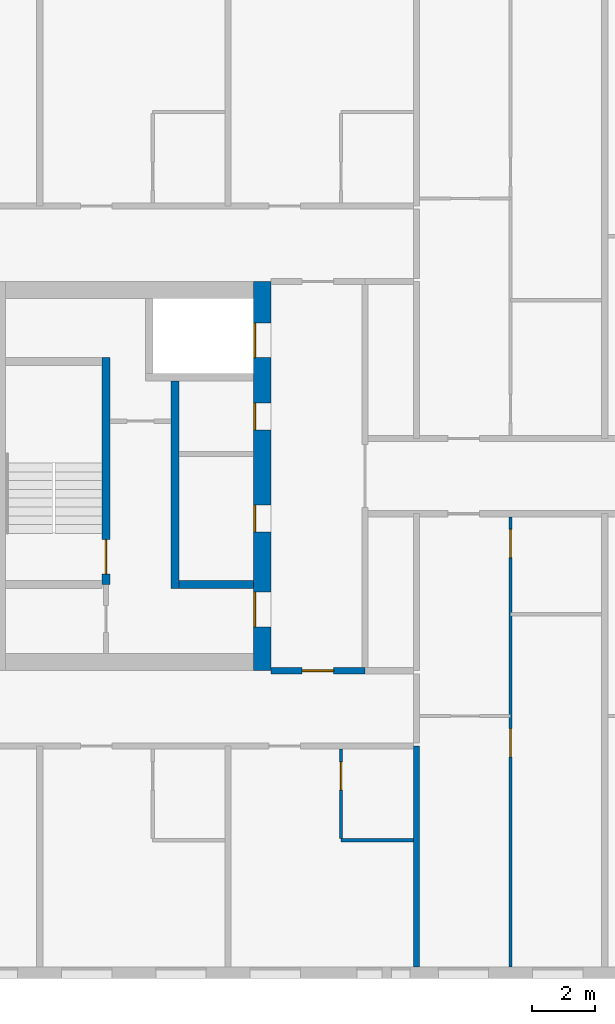
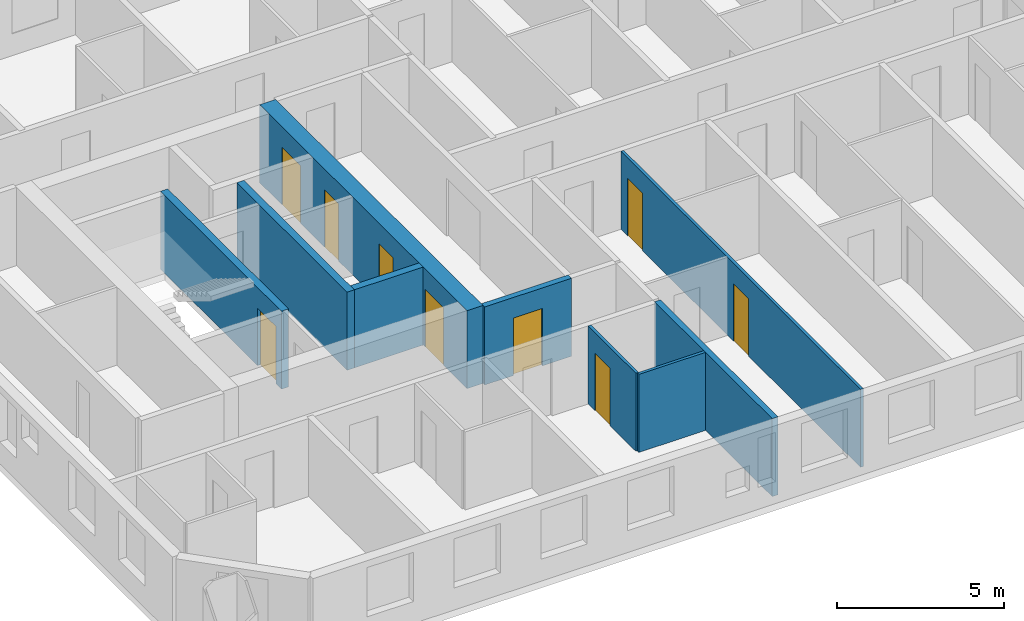
# One storey, part 3 of 16: 9 doors, 9 walls, 9 openings.
"""IFC4 building model written with IfcOpenShell, lengths in metres."""

from ifc_helpers import new_model, si_unit, direction, frame, frame_2d, origin, place, context, subcontext, project, spatial, rectangle, extrude, material, layer, layer_set, type_object, element, fill, save


model = new_model("IFC4")

# Units and contexts
model_context = context("Model", 3, precision=1e-05, world=origin(), true_north=direction((0.0, 1.0)))
body_context = subcontext(model_context, "Body", "Model", "MODEL_VIEW")
ifc_project = project(units=[si_unit("LENGTHUNIT", "METRE"), si_unit("AREAUNIT", "SQUARE_METRE"), si_unit("VOLUMEUNIT", "CUBIC_METRE"), si_unit("PLANEANGLEUNIT", "RADIAN"), si_unit("MASSUNIT", "GRAM", prefix="KILO")], contexts=[model_context])

# Site, building, storey
site_placement = place(None, origin())
site = spatial("IfcSite", under=ifc_project, at=site_placement, CompositionType="ELEMENT")
building_placement = place(site_placement, origin())
building = spatial("IfcBuilding", under=site, at=building_placement, Name="Tuart Gate Housing", CompositionType="ELEMENT")
storey_placement = place(building_placement, frame((0.0, 0.0, 133.0)))
storey = spatial("IfcBuildingStorey", under=building, at=storey_placement, Name="L37", CompositionType="ELEMENT", Elevation=133.0)

# Walls
ifc_material_1 = material(Name="Concrete C50", Category="concrete")
ifc_layer_1 = layer(ifc_material_1, 0.25)
ifc_layer_set_1 = layer_set([ifc_layer_1], Name="Core wall 250 C50")
wall_type_1 = type_object("IfcWallType", Name="Core wall 250 C50", PredefinedType="SHEAR", material=ifc_layer_set_1)
wall_1_placement = place(storey_placement, frame((40.81005859375, 66.550048828125, 0.0), z_axis=(0.0, 0.0, 1.0), x_axis=(-1.0, 0.0, 0.0)))
element("IfcWall", 1, at=wall_1_placement, inside=storey, type_object=wall_type_1, Name="Core wall AK.5", PredefinedType="SHEAR", context=body_context, shape_type="SweptSolid", body=[
    extrude(rectangle(XDim=2.375, YDim=0.25, at=frame_2d((1.1875, 0.0))), origin(), (0.0, 0.0, 1.0), 2.85009765625),
])
wall_2_placement = place(storey_placement, frame((38.31005859375, 73.02490234375, 0.0), z_axis=(0.0, 0.0, 1.0), x_axis=(0.0, -1.0, 0.0)))
element("IfcWall", 2, at=wall_2_placement, inside=storey, type_object=wall_type_1, Name="Core wall AK.7", PredefinedType="SHEAR", context=body_context, shape_type="SweptSolid", body=[
    extrude(rectangle(XDim=6.599853515625, YDim=0.25, at=frame_2d((3.2998046875, 0.0))), origin(), (0.0, 0.0, 1.0), 2.85009765625),
])

# Wall, opening, door
wall_3_placement = place(storey_placement, frame((36.110107421875, 73.77490234375, 0.0), z_axis=(0.0, 0.0, 1.0), x_axis=(0.0, -1.0, 0.0)))
wall_3 = element("IfcWall", 3, at=wall_3_placement, inside=storey, type_object=wall_type_1, Name="Core wall AK.9", PredefinedType="SHEAR", context=body_context, shape_type="SweptSolid", body=[
    extrude(rectangle(XDim=7.224853515625, YDim=0.25, at=frame_2d((3.6123046875, 0.0))), origin(), (0.0, 0.0, 1.0), 2.85009765625),
])
opening_1_placement = place(wall_3_placement, frame((5.800048828125, 0.0, 0.0)))
opening_1 = element("IfcOpeningElement", 4, at=opening_1_placement, cuts=wall_3, Name="Opening D1428", PredefinedType="OPENING", context=body_context, shape_type="SweptSolid", body=[
    extrude(rectangle(XDim=1.10009765625, YDim=2.10009765625, at=frame_2d((0.550048828125, 1.050048828125))), frame((0.0, 0.135009765625, 0.0), z_axis=(0.0, -1.0, 0.0), x_axis=(1.0, 0.0, 0.0)), (0.0, 0.0, 1.0), 0.27001953125),
])
ifc_material_2 = material(Name="Steel fire door", Category="steel")
door_type_1 = type_object("IfcDoorType", Name="Stair door 1100 x 2100", OperationType="SINGLE_SWING_LEFT", PredefinedType="DOOR", material=ifc_material_2)
door_1_placement = place(opening_1_placement, frame((1.10009765625, 0.0, 0.0), z_axis=(0.0, 0.0, 1.0), x_axis=(-1.0, 0.0, 0.0)))
door_1 = element("IfcDoor", 5, at=door_1_placement, inside=storey, type_object=door_type_1, Name="Stair door AK.SD", OperationType="SINGLE_SWING_LEFT", OverallHeight=2.10009765625, OverallWidth=1.10009765625, PredefinedType="DOOR", context=body_context, shape_type="SweptSolid", body=[
    extrude(rectangle(XDim=1.10009765625, YDim=2.10009765625, at=frame_2d((0.550048828125, 1.050048828125))), frame((0.0, 0.025146484375, 0.0), z_axis=(0.0, -1.0, 0.0), x_axis=(1.0, 0.0, 0.0)), (0.0, 0.0, 1.0), 0.050048828125),
])
fill(opening_1, door_1)

# Wall, openings, doors
ifc_material_3 = material(Name="Concrete C50", Category="concrete")
ifc_layer_2 = layer(ifc_material_3, 0.550048828125)
ifc_layer_set_2 = layer_set([ifc_layer_2], Name="Core wall 550 C50")
wall_type_2 = type_object("IfcWallType", Name="Core wall 550 C50", PredefinedType="SHEAR", material=ifc_layer_set_2)
wall_4_placement = place(storey_placement, frame((41.0849609375, 76.199951171875, 0.0), z_axis=(0.0, 0.0, 1.0), x_axis=(0.0, -1.0, 0.0)))
wall_4 = element("IfcWall", 6, at=wall_4_placement, inside=storey, type_object=wall_type_2, Name="Core wall AK front", PredefinedType="SHEAR", context=body_context, shape_type="SweptSolid", body=[
    extrude(rectangle(XDim=12.39990234375, YDim=0.550048828125, at=frame_2d((6.199951171875, 0.0))), origin(), (0.0, 0.0, 1.0), 2.85009765625),
])
opening_2_placement = place(wall_4_placement, frame((1.324951171875, 0.0, 0.0)))
opening_2 = element("IfcOpeningElement", 7, at=opening_2_placement, cuts=wall_4, Name="Opening LD-FA2", PredefinedType="OPENING", context=body_context, shape_type="SweptSolid", body=[
    extrude(rectangle(XDim=1.10009765625, YDim=2.10009765625, at=frame_2d((0.550048828125, 1.050048828125))), frame((0.0, 0.284912109375, 0.0), z_axis=(0.0, -1.0, 0.0), x_axis=(1.0, 0.0, 0.0)), (0.0, 0.0, 1.0), 0.570068359375),
])
opening_3_placement = place(wall_4_placement, frame((3.875, 0.0, 0.0)))
opening_3 = element("IfcOpeningElement", 8, at=opening_3_placement, cuts=wall_4, Name="Opening D1432", PredefinedType="OPENING", context=body_context, shape_type="SweptSolid", body=[
    extrude(rectangle(XDim=0.85009765625, YDim=2.10009765625, at=frame_2d((0.425048828125, 1.050048828125))), frame((0.0, 0.284912109375, 0.0), z_axis=(0.0, -1.0, 0.0), x_axis=(1.0, 0.0, 0.0)), (0.0, 0.0, 1.0), 0.570068359375),
])
opening_4_placement = place(wall_4_placement, frame((7.125, 0.0, 0.0)))
opening_4 = element("IfcOpeningElement", 9, at=opening_4_placement, cuts=wall_4, Name="Opening D1433", PredefinedType="OPENING", context=body_context, shape_type="SweptSolid", body=[
    extrude(rectangle(XDim=0.85009765625, YDim=2.10009765625, at=frame_2d((0.425048828125, 1.050048828125))), frame((0.0, 0.284912109375, 0.0), z_axis=(0.0, -1.0, 0.0), x_axis=(1.0, 0.0, 0.0)), (0.0, 0.0, 1.0), 0.570068359375),
])
opening_5_placement = place(wall_4_placement, frame((9.89990234375, 0.0, 0.0)))
opening_5 = element("IfcOpeningElement", 10, at=opening_5_placement, cuts=wall_4, Name="Opening D1431", PredefinedType="OPENING", context=body_context, shape_type="SweptSolid", body=[
    extrude(rectangle(XDim=1.10009765625, YDim=2.10009765625, at=frame_2d((0.550048828125, 1.050048828125))), frame((0.0, 0.284912109375, 0.0), z_axis=(0.0, -1.0, 0.0), x_axis=(1.0, 0.0, 0.0)), (0.0, 0.0, 1.0), 0.570068359375),
])
ifc_material_4 = material(Name="Stainless steel", Category="steel")
door_type_2 = type_object("IfcDoorType", Name="Landing door 1100 x 2100", OperationType="DOUBLE_DOOR_SLIDING", PredefinedType="DOOR", material=ifc_material_4)
door_2_placement = place(opening_2_placement, origin())
door_2 = element("IfcDoor", 11, at=door_2_placement, inside=storey, type_object=door_type_2, Name="Lift landing door FA2", OperationType="DOUBLE_DOOR_SLIDING", OverallHeight=2.10009765625, OverallWidth=1.10009765625, PredefinedType="DOOR", context=body_context, shape_type="SweptSolid", body=[
    extrude(rectangle(XDim=1.10009765625, YDim=2.10009765625, at=frame_2d((0.550048828125, 1.050048828125))), frame((0.0, -0.2099609375, 0.0), z_axis=(0.0, -1.0, 0.0), x_axis=(1.0, 0.0, 0.0)), (0.0, 0.0, 1.0), 0.050048828125),
])
fill(opening_2, door_2)
ifc_material_5 = material(Name="Steel fire door", Category="steel")
door_type_3 = type_object("IfcDoorType", Name="Lobby door 1100 x 2100 RH", OperationType="SINGLE_SWING_RIGHT", PredefinedType="DOOR", material=ifc_material_5)
door_3_placement = place(opening_5_placement, frame((1.10009765625, 0.0, 0.0), z_axis=(0.0, 0.0, 1.0), x_axis=(-1.0, 0.0, 0.0)))
door_3 = element("IfcDoor", 12, at=door_3_placement, inside=storey, type_object=door_type_3, Name="Lobby entry door AK.EN", OperationType="SINGLE_SWING_RIGHT", OverallHeight=2.10009765625, OverallWidth=1.10009765625, PredefinedType="DOOR", context=body_context, shape_type="SweptSolid", body=[
    extrude(rectangle(XDim=1.10009765625, YDim=2.10009765625, at=frame_2d((0.550048828125, 1.050048828125))), frame((0.0, 0.260009765625, 0.0), z_axis=(0.0, -1.0, 0.0), x_axis=(1.0, 0.0, 0.0)), (0.0, 0.0, 1.0), 0.050048828125),
])
fill(opening_5, door_3)
ifc_material_6 = material(Name="Steel fire door", Category="steel")
door_type_4 = type_object("IfcDoorType", Name="Service door 850 x 2100 RH", OperationType="SINGLE_SWING_RIGHT", PredefinedType="DOOR", material=ifc_material_6)
door_4_placement = place(opening_3_placement, frame((0.85009765625, 0.0, 0.0), z_axis=(0.0, 0.0, 1.0), x_axis=(-1.0, 0.0, 0.0)))
door_4 = element("IfcDoor", 13, at=door_4_placement, inside=storey, type_object=door_type_4, Name="Service room door AK.FR1", OperationType="SINGLE_SWING_RIGHT", OverallHeight=2.10009765625, OverallWidth=0.85009765625, PredefinedType="DOOR", context=body_context, shape_type="SweptSolid", body=[
    extrude(rectangle(XDim=0.85009765625, YDim=2.10009765625, at=frame_2d((0.425048828125, 1.050048828125))), frame((0.0, 0.260009765625, 0.0), z_axis=(0.0, -1.0, 0.0), x_axis=(1.0, 0.0, 0.0)), (0.0, 0.0, 1.0), 0.050048828125),
])
fill(opening_3, door_4)
door_5_placement = place(opening_4_placement, frame((0.85009765625, 0.0, 0.0), z_axis=(0.0, 0.0, 1.0), x_axis=(-1.0, 0.0, 0.0)))
door_5 = element("IfcDoor", 14, at=door_5_placement, inside=storey, type_object=door_type_4, Name="Service room door AK.FR2", OperationType="SINGLE_SWING_RIGHT", OverallHeight=2.10009765625, OverallWidth=0.85009765625, PredefinedType="DOOR", context=body_context, shape_type="SweptSolid", body=[
    extrude(rectangle(XDim=0.85009765625, YDim=2.10009765625, at=frame_2d((0.425048828125, 1.050048828125))), frame((0.0, 0.260009765625, 0.0), z_axis=(0.0, -1.0, 0.0), x_axis=(1.0, 0.0, 0.0)), (0.0, 0.0, 1.0), 0.050048828125),
])
fill(opening_4, door_5)

# Wall, opening, door
ifc_material_7 = material(Name="Concrete masonry 15 MPa", Category="masonry")
ifc_layer_3 = layer(ifc_material_7, 0.199951171875)
ifc_layer_set_3 = layer_set([ifc_layer_3], Name="Enclosure wall masonry 200")
wall_type_3 = type_object("IfcWallType", Name="Enclosure wall masonry 200", PredefinedType="PARTITIONING", material=ifc_layer_set_3)
wall_5_placement = place(storey_placement, frame((41.360107421875, 63.800048828125, 0.0), z_axis=(0.0, 0.0, 1.0), x_axis=(1.0, 0.0, 0.0)))
wall_5 = element("IfcWall", 15, at=wall_5_placement, inside=storey, type_object=wall_type_3, Name="Enclosure wall masonry 200", PredefinedType="PARTITIONING", context=body_context, shape_type="SweptSolid", body=[
    extrude(rectangle(XDim=3.0, YDim=0.199951171875, at=frame_2d((1.5, 0.0))), origin(), (0.0, 0.0, 1.0), 2.85009765625),
])
opening_6_placement = place(wall_5_placement, frame((1.0, 0.0, 0.0)))
opening_6 = element("IfcOpeningElement", 16, at=opening_6_placement, cuts=wall_5, Name="Opening D1443", PredefinedType="OPENING", context=body_context, shape_type="SweptSolid", body=[
    extrude(rectangle(XDim=1.0, YDim=2.10009765625, at=frame_2d((0.5, 1.050048828125))), frame((0.0, 0.10986328125, 0.0), z_axis=(0.0, -1.0, 0.0), x_axis=(1.0, 0.0, 0.0)), (0.0, 0.0, 1.0), 0.219970703125),
])
ifc_material_8 = material(Name="Timber door leaf in steel frame", Category="steel")
door_type_5 = type_object("IfcDoorType", Name="Fire door 1000", OperationType="SINGLE_SWING_LEFT", PredefinedType="DOOR", material=ifc_material_8)
door_6_placement = place(opening_6_placement, frame((1.0, 0.0, 0.0), z_axis=(0.0, 0.0, 1.0), x_axis=(-1.0, 0.0, 0.0)))
door_6 = element("IfcDoor", 17, at=door_6_placement, inside=storey, type_object=door_type_5, Name="Fire door", OperationType="SINGLE_SWING_LEFT", OverallHeight=2.10009765625, OverallWidth=1.0, PredefinedType="DOOR", context=body_context, shape_type="SweptSolid", body=[
    extrude(rectangle(XDim=1.0, YDim=2.10009765625, at=frame_2d((0.5, 1.050048828125))), frame((0.0, 0.025146484375, 0.0), z_axis=(0.0, -1.0, 0.0), x_axis=(1.0, 0.0, 0.0)), (0.0, 0.0, 1.0), 0.050048828125),
])
fill(opening_6, door_6)

# Wall
ifc_material_9 = material(Name="Gypsum board on steel studs", Category="steel")
ifc_layer_4 = layer(ifc_material_9, 0.10009765625)
ifc_layer_set_4 = layer_set([ifc_layer_4], Name="Partition 100")
wall_type_4 = type_object("IfcWallType", Name="Partition 100", PredefinedType="PARTITIONING", material=ifc_layer_set_4)
wall_6_placement = place(storey_placement, frame((43.60009765625, 58.39990234375, 0.0), z_axis=(0.0, 0.0, 1.0), x_axis=(1.0, 0.0, 0.0)))
element("IfcWall", 18, at=wall_6_placement, inside=storey, type_object=wall_type_4, Name="Partition 100", PredefinedType="PARTITIONING", context=body_context, shape_type="SweptSolid", body=[
    extrude(rectangle(XDim=2.2998046875, YDim=0.10009765625, at=frame_2d((1.14990234375, 0.0))), origin(), (0.0, 0.0, 1.0), 2.85009765625),
])

# Wall, opening, door
wall_7_placement = place(storey_placement, frame((43.60009765625, 58.449951171875, 0.0), z_axis=(0.0, 0.0, 1.0), x_axis=(0.0, 1.0, 0.0)))
wall_7 = element("IfcWall", 19, at=wall_7_placement, inside=storey, type_object=wall_type_4, Name="Partition 100", PredefinedType="PARTITIONING", context=body_context, shape_type="SweptSolid", body=[
    extrude(rectangle(XDim=2.85009765625, YDim=0.10009765625, at=frame_2d((1.425048828125, 0.0))), origin(), (0.0, 0.0, 1.0), 2.85009765625),
])
opening_7_placement = place(wall_7_placement, frame((1.550048828125, 0.0, 0.0)))
opening_7 = element("IfcOpeningElement", 20, at=opening_7_placement, cuts=wall_7, Name="Opening D1460", PredefinedType="OPENING", context=body_context, shape_type="SweptSolid", body=[
    extrude(rectangle(XDim=0.89990234375, YDim=2.10009765625, at=frame_2d((0.449951171875, 1.050048828125))), frame((0.0, 0.06005859375, 0.0), z_axis=(0.0, -1.0, 0.0), x_axis=(1.0, 0.0, 0.0)), (0.0, 0.0, 1.0), 0.1201171875),
])
ifc_material_10 = material(Name="Timber door leaf in steel frame", Category="steel")
door_type_6 = type_object("IfcDoorType", Name="Bathroom door 900", OperationType="SINGLE_SWING_LEFT", PredefinedType="DOOR", material=ifc_material_10)
door_7_placement = place(opening_7_placement, frame((0.89990234375, 0.0, 0.0), z_axis=(0.0, 0.0, 1.0), x_axis=(-1.0, 0.0, 0.0)))
door_7 = element("IfcDoor", 21, at=door_7_placement, inside=storey, type_object=door_type_6, Name="Bathroom door", OperationType="SINGLE_SWING_LEFT", OverallHeight=2.10009765625, OverallWidth=0.89990234375, PredefinedType="DOOR", context=body_context, shape_type="SweptSolid", body=[
    extrude(rectangle(XDim=0.89990234375, YDim=2.10009765625, at=frame_2d((0.449951171875, 1.050048828125))), frame((0.0, 0.025146484375, 0.0), z_axis=(0.0, -1.0, 0.0), x_axis=(1.0, 0.0, 0.0)), (0.0, 0.0, 1.0), 0.050048828125),
])
fill(opening_7, door_7)

# Wall, openings, doors
wall_8_placement = place(storey_placement, frame((49.0, 54.360107421875, 0.0), z_axis=(0.0, 0.0, 1.0), x_axis=(0.0, 1.0, 0.0)))
wall_8 = element("IfcWall", 22, at=wall_8_placement, inside=storey, type_object=wall_type_4, Name="Partition 100", PredefinedType="PARTITIONING", context=body_context, shape_type="SweptSolid", body=[
    extrude(rectangle(XDim=14.33984375, YDim=0.10009765625, at=frame_2d((7.169921875, 0.0))), origin(), (0.0, 0.0, 1.0), 2.85009765625),
])
opening_8_placement = place(wall_8_placement, frame((6.699951171875, 0.0, 0.0)))
opening_8 = element("IfcOpeningElement", 23, at=opening_8_placement, cuts=wall_8, Name="Opening D1448", PredefinedType="OPENING", context=body_context, shape_type="SweptSolid", body=[
    extrude(rectangle(XDim=0.89990234375, YDim=2.10009765625, at=frame_2d((0.449951171875, 1.050048828125))), frame((0.0, 0.06005859375, 0.0), z_axis=(0.0, -1.0, 0.0), x_axis=(1.0, 0.0, 0.0)), (0.0, 0.0, 1.0), 0.1201171875),
])
opening_9_placement = place(wall_8_placement, frame((13.0400390625, 0.0, 0.0)))
opening_9 = element("IfcOpeningElement", 24, at=opening_9_placement, cuts=wall_8, Name="Opening D1447", PredefinedType="OPENING", context=body_context, shape_type="SweptSolid", body=[
    extrude(rectangle(XDim=0.89990234375, YDim=2.10009765625, at=frame_2d((0.449951171875, 1.050048828125))), frame((0.0, 0.06005859375, 0.0), z_axis=(0.0, -1.0, 0.0), x_axis=(1.0, 0.0, 0.0)), (0.0, 0.0, 1.0), 0.1201171875),
])
door_8_placement = place(opening_9_placement, frame((0.89990234375, 0.0, 0.0), z_axis=(0.0, 0.0, 1.0), x_axis=(-1.0, 0.0, 0.0)))
door_8 = element("IfcDoor", 25, at=door_8_placement, inside=storey, type_object=door_type_6, Name="Bathroom door", OperationType="SINGLE_SWING_LEFT", OverallHeight=2.10009765625, OverallWidth=0.89990234375, PredefinedType="DOOR", context=body_context, shape_type="SweptSolid", body=[
    extrude(rectangle(XDim=0.89990234375, YDim=2.10009765625, at=frame_2d((0.449951171875, 1.050048828125))), frame((0.0, 0.025146484375, 0.0), z_axis=(0.0, -1.0, 0.0), x_axis=(1.0, 0.0, 0.0)), (0.0, 0.0, 1.0), 0.050048828125),
])
fill(opening_9, door_8)
ifc_material_11 = material(Name="Timber door leaf in steel frame", Category="steel")
door_type_7 = type_object("IfcDoorType", Name="Internal door 900", OperationType="SINGLE_SWING_LEFT", PredefinedType="DOOR", material=ifc_material_11)
door_9_placement = place(opening_8_placement, frame((0.89990234375, 0.0, 0.0), z_axis=(0.0, 0.0, 1.0), x_axis=(-1.0, 0.0, 0.0)))
door_9 = element("IfcDoor", 26, at=door_9_placement, inside=storey, type_object=door_type_7, Name="Internal door", OperationType="SINGLE_SWING_LEFT", OverallHeight=2.10009765625, OverallWidth=0.89990234375, PredefinedType="DOOR", context=body_context, shape_type="SweptSolid", body=[
    extrude(rectangle(XDim=0.89990234375, YDim=2.10009765625, at=frame_2d((0.449951171875, 1.050048828125))), frame((0.0, 0.025146484375, 0.0), z_axis=(0.0, -1.0, 0.0), x_axis=(1.0, 0.0, 0.0)), (0.0, 0.0, 1.0), 0.050048828125),
])
fill(opening_8, door_9)

# Wall
ifc_material_12 = material(Name="Concrete C40", Category="concrete")
ifc_layer_5 = layer(ifc_material_12, 0.199951171875)
ifc_layer_set_5 = layer_set([ifc_layer_5], Name="Party wall concrete C40 200")
wall_type_5 = type_object("IfcWallType", Name="Party wall concrete C40 200", PredefinedType="SOLIDWALL", material=ifc_layer_set_5)
wall_9_placement = place(storey_placement, frame((46.0, 54.360107421875, 0.0), z_axis=(0.0, 0.0, 1.0), x_axis=(0.0, 1.0, 0.0)))
element("IfcWall", 27, at=wall_9_placement, inside=storey, type_object=wall_type_5, Name="Party wall concrete C40 200", PredefinedType="SOLIDWALL", context=body_context, shape_type="SweptSolid", body=[
    extrude(rectangle(XDim=7.039794921875, YDim=0.199951171875, at=frame_2d((3.52001953125, 0.0))), origin(), (0.0, 0.0, 1.0), 2.85009765625),
])

save(model, "model.ifc")
